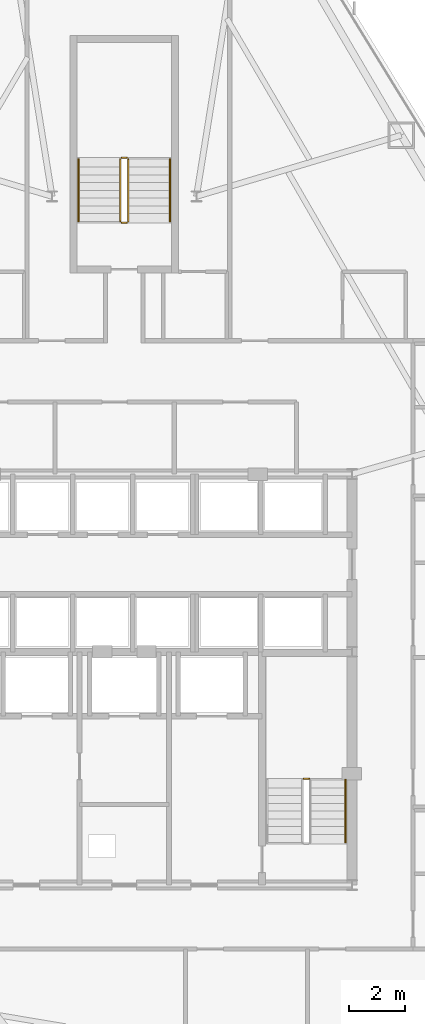
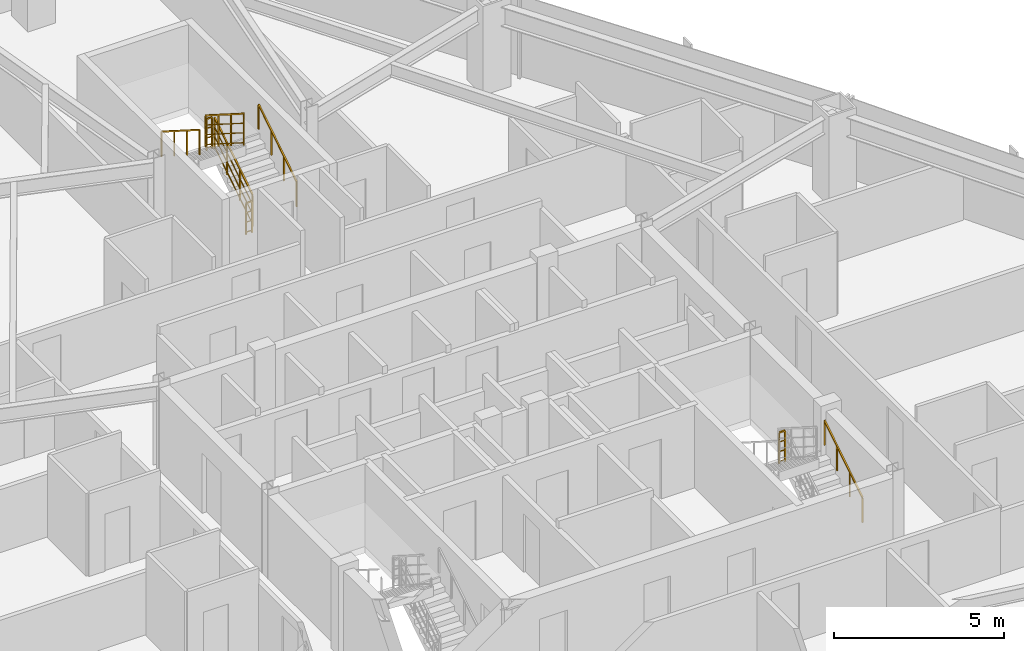
# One storey, part 14 of 14: 8 railings.
"""IFC4 building model written with IfcOpenShell, lengths in metres."""

from ifc_helpers import new_model, si_unit, direction, frame, origin, origin_2d, place, context, subcontext, project, spatial, rectangle, extrude, material, type_object, element, save


model = new_model("IFC4")

# Units and contexts
model_context = context("Model", 3, precision=1e-05, world=origin(), true_north=direction((0.0, 1.0)))
body_context = subcontext(model_context, "Body", "Model", "MODEL_VIEW")
ifc_project = project(units=[si_unit("LENGTHUNIT", "METRE"), si_unit("AREAUNIT", "SQUARE_METRE"), si_unit("VOLUMEUNIT", "CUBIC_METRE"), si_unit("PLANEANGLEUNIT", "RADIAN"), si_unit("MASSUNIT", "GRAM", prefix="KILO")], contexts=[model_context])

# Site, building, storey
site_placement = place(None, origin())
site = spatial("IfcSite", under=ifc_project, at=site_placement, CompositionType="ELEMENT")
building_placement = place(site_placement, origin())
building = spatial("IfcBuilding", under=site, at=building_placement, Name="Varakhsha Concourse Tower", CompositionType="ELEMENT")
storey_placement = place(building_placement, frame((0.0, 0.0, 105.39990234375)))
storey = spatial("IfcBuildingStorey", under=building, at=storey_placement, Name="L30", CompositionType="ELEMENT", Elevation=105.39990234375)

# Railings
ifc_material = material(Name="Brushed Austenitic Stainless Steel AISI 316", Category="steel")
railing_type_1 = type_object("IfcRailingType", Name="RL-STAIR-GUARD-1100", PredefinedType="GUARDRAIL", material=ifc_material)
railing_1_placement = place(storey_placement, frame((46.659912109375, 20.22998046875, 1.60009765625)))
element("IfcRailing", 1, at=railing_1_placement, inside=storey, type_object=railing_type_1, Name="L30 ST2 stair guard 2", PredefinedType="GUARDRAIL", context=body_context, shape_type="SweptSolid", body=[
    extrude(rectangle(XDim=0.048095703125, YDim=0.048095703125, at=origin_2d()), frame((0.0, 0.0, 1.1259765625), z_axis=(-1.0, 0.0, 0.0), x_axis=(0.0, -1.0, 0.0)), (0.0, 0.0, 1.0), 0.199951171875),
    extrude(rectangle(XDim=0.028076171875, YDim=0.028076171875, at=origin_2d()), frame((0.0, 0.0, 0.080078125), z_axis=(-1.0, 0.0, 0.0), x_axis=(0.0, -1.0, 0.0)), (0.0, 0.0, 1.0), 0.199951171875),
    extrude(rectangle(XDim=0.028076171875, YDim=0.028076171875, at=origin_2d()), frame((0.0, 0.0, 0.43701171875), z_axis=(-1.0, 0.0, 0.0), x_axis=(0.0, -1.0, 0.0)), (0.0, 0.0, 1.0), 0.199951171875),
    extrude(rectangle(XDim=0.028076171875, YDim=0.028076171875, at=origin_2d()), frame((0.0, 0.0, 0.781982421875), z_axis=(-1.0, 0.0, 0.0), x_axis=(0.0, -1.0, 0.0)), (0.0, 0.0, 1.0), 0.199951171875),
    extrude(rectangle(XDim=0.0419921875, YDim=0.0419921875, at=origin_2d()), origin(), (0.0, 0.0, 1.0), 1.101806640625),
    extrude(rectangle(XDim=0.0419921875, YDim=0.0419921875, at=origin_2d()), frame((-0.199951171875, 0.0, 0.0)), (0.0, 0.0, 1.0), 1.101806640625),
])
railing_2_placement = place(storey_placement, frame((40.14990234375, 40.300048828125, 0.177978515625)))
element("IfcRailing", 2, at=railing_2_placement, inside=storey, type_object=railing_type_1, Name="L30 ST5 stair guard 1", PredefinedType="GUARDRAIL", context=body_context, shape_type="SweptSolid", body=[
    extrude(rectangle(XDim=0.048095703125, YDim=0.048095703125, at=origin_2d()), frame((0.0, 0.0, 1.1259765625), z_axis=(0.0, 0.8442293374, 0.53598211339), x_axis=(-1.0, 0.0, 0.0)), (0.0, 0.0, 1.0), 2.6533203125),
    extrude(rectangle(XDim=0.028076171875, YDim=0.028076171875, at=origin_2d()), frame((0.0, 0.0, 0.080078125), z_axis=(0.0, 0.8442293374, 0.53598211339), x_axis=(-1.0, 0.0, 0.0)), (0.0, 0.0, 1.0), 2.6533203125),
    extrude(rectangle(XDim=0.028076171875, YDim=0.028076171875, at=origin_2d()), frame((0.0, 0.0, 0.43701171875), z_axis=(0.0, 0.8442293374, 0.53598211339), x_axis=(-1.0, 0.0, 0.0)), (0.0, 0.0, 1.0), 2.6533203125),
    extrude(rectangle(XDim=0.028076171875, YDim=0.028076171875, at=origin_2d()), frame((0.0, 0.0, 0.781982421875), z_axis=(0.0, 0.8442293374, 0.53598211339), x_axis=(-1.0, 0.0, 0.0)), (0.0, 0.0, 1.0), 2.6533203125),
    extrude(rectangle(XDim=0.0419921875, YDim=0.0419921875, at=origin_2d()), origin(), (0.0, 0.0, 1.0), 1.101806640625),
    extrude(rectangle(XDim=0.0419921875, YDim=0.0419921875, at=origin_2d()), frame((0.0, 0.74658203125, 0.47412109375)), (0.0, 0.0, 1.0), 1.101806640625),
    extrude(rectangle(XDim=0.0419921875, YDim=0.0419921875, at=origin_2d()), frame((0.0, 1.493408203125, 0.947998046875)), (0.0, 0.0, 1.0), 1.101806640625),
    extrude(rectangle(XDim=0.0419921875, YDim=0.0419921875, at=origin_2d()), frame((0.0, 2.239990234375, 1.422119140625)), (0.0, 0.0, 1.0), 1.101806640625),
])
railing_3_placement = place(storey_placement, frame((40.10009765625, 42.590087890625, 1.60009765625)))
element("IfcRailing", 3, at=railing_3_placement, inside=storey, type_object=railing_type_1, Name="L30 ST5 stair guard 2", PredefinedType="GUARDRAIL", context=body_context, shape_type="SweptSolid", body=[
    extrude(rectangle(XDim=0.048095703125, YDim=0.048095703125, at=origin_2d()), frame((0.0, 0.0, 1.1259765625), z_axis=(-1.0, 0.0, 0.0), x_axis=(0.0, -1.0, 0.0)), (0.0, 0.0, 1.0), 0.2001953125),
    extrude(rectangle(XDim=0.028076171875, YDim=0.028076171875, at=origin_2d()), frame((0.0, 0.0, 0.080078125), z_axis=(-1.0, 0.0, 0.0), x_axis=(0.0, -1.0, 0.0)), (0.0, 0.0, 1.0), 0.2001953125),
    extrude(rectangle(XDim=0.028076171875, YDim=0.028076171875, at=origin_2d()), frame((0.0, 0.0, 0.43701171875), z_axis=(-1.0, 0.0, 0.0), x_axis=(0.0, -1.0, 0.0)), (0.0, 0.0, 1.0), 0.2001953125),
    extrude(rectangle(XDim=0.028076171875, YDim=0.028076171875, at=origin_2d()), frame((0.0, 0.0, 0.781982421875), z_axis=(-1.0, 0.0, 0.0), x_axis=(0.0, -1.0, 0.0)), (0.0, 0.0, 1.0), 0.2001953125),
    extrude(rectangle(XDim=0.0419921875, YDim=0.0419921875, at=origin_2d()), origin(), (0.0, 0.0, 1.0), 1.101806640625),
    extrude(rectangle(XDim=0.0419921875, YDim=0.0419921875, at=origin_2d()), frame((-0.2001953125, 0.0, 0.0)), (0.0, 0.0, 1.0), 1.101806640625),
])
railing_4_placement = place(storey_placement, frame((39.85009765625, 42.5400390625, 1.77783203125)))
element("IfcRailing", 4, at=railing_4_placement, inside=storey, type_object=railing_type_1, Name="L30 ST5 stair guard 3", PredefinedType="GUARDRAIL", context=body_context, shape_type="SweptSolid", body=[
    extrude(rectangle(XDim=0.048095703125, YDim=0.048095703125, at=origin_2d()), frame((0.0, 0.0, 1.1259765625), z_axis=(0.0, -0.84418770128, 0.536047689118), x_axis=(1.0, 0.0, 0.0)), (0.0, 0.0, 1.0), 2.6533203125),
    extrude(rectangle(XDim=0.028076171875, YDim=0.028076171875, at=origin_2d()), frame((0.0, 0.0, 0.080078125), z_axis=(0.0, -0.84418770128, 0.536047689118), x_axis=(1.0, 0.0, 0.0)), (0.0, 0.0, 1.0), 2.6533203125),
    extrude(rectangle(XDim=0.028076171875, YDim=0.028076171875, at=origin_2d()), frame((0.0, 0.0, 0.43701171875), z_axis=(0.0, -0.84418770128, 0.536047689118), x_axis=(1.0, 0.0, 0.0)), (0.0, 0.0, 1.0), 2.6533203125),
    extrude(rectangle(XDim=0.028076171875, YDim=0.028076171875, at=origin_2d()), frame((0.0, 0.0, 0.781982421875), z_axis=(0.0, -0.84418770128, 0.536047689118), x_axis=(1.0, 0.0, 0.0)), (0.0, 0.0, 1.0), 2.6533203125),
    extrude(rectangle(XDim=0.0419921875, YDim=0.0419921875, at=origin_2d()), origin(), (0.0, 0.0, 1.0), 1.101806640625),
    extrude(rectangle(XDim=0.0419921875, YDim=0.0419921875, at=origin_2d()), frame((0.0, -0.74658203125, 0.47412109375)), (0.0, 0.0, 1.0), 1.101806640625),
    extrude(rectangle(XDim=0.0419921875, YDim=0.0419921875, at=origin_2d()), frame((0.0, -1.493408203125, 0.9482421875)), (0.0, 0.0, 1.0), 1.101806640625),
    extrude(rectangle(XDim=0.0419921875, YDim=0.0419921875, at=origin_2d()), frame((0.0, -2.239990234375, 1.42236328125)), (0.0, 0.0, 1.0), 1.101806640625),
])
railing_5_placement = place(storey_placement, frame((40.10009765625, 40.25, 0.0)))
element("IfcRailing", 5, at=railing_5_placement, inside=storey, type_object=railing_type_1, Name="L30 ST5 stair guard 4", PredefinedType="GUARDRAIL", context=body_context, shape_type="SweptSolid", body=[
    extrude(rectangle(XDim=0.048095703125, YDim=0.048095703125, at=origin_2d()), frame((0.0, 0.0, 1.1259765625), z_axis=(-1.0, 0.0, 0.0), x_axis=(0.0, -1.0, 0.0)), (0.0, 0.0, 1.0), 0.2001953125),
    extrude(rectangle(XDim=0.028076171875, YDim=0.028076171875, at=origin_2d()), frame((0.0, 0.0, 0.080078125), z_axis=(-1.0, 0.0, 0.0), x_axis=(0.0, -1.0, 0.0)), (0.0, 0.0, 1.0), 0.2001953125),
    extrude(rectangle(XDim=0.028076171875, YDim=0.028076171875, at=origin_2d()), frame((0.0, 0.0, 0.43701171875), z_axis=(-1.0, 0.0, 0.0), x_axis=(0.0, -1.0, 0.0)), (0.0, 0.0, 1.0), 0.2001953125),
    extrude(rectangle(XDim=0.028076171875, YDim=0.028076171875, at=origin_2d()), frame((0.0, 0.0, 0.781982421875), z_axis=(-1.0, 0.0, 0.0), x_axis=(0.0, -1.0, 0.0)), (0.0, 0.0, 1.0), 0.2001953125),
    extrude(rectangle(XDim=0.0419921875, YDim=0.0419921875, at=origin_2d()), origin(), (0.0, 0.0, 1.0), 1.101806640625),
    extrude(rectangle(XDim=0.0419921875, YDim=0.0419921875, at=origin_2d()), frame((-0.2001953125, 0.0, 0.0)), (0.0, 0.0, 1.0), 1.101806640625),
])
railing_type_2 = type_object("IfcRailingType", Name="RL-STAIR-RAIL-915", PredefinedType="HANDRAIL", material=ifc_material)
for number, where, name in (
    (6, (47.969970703125, 17.93994140625, 0.355712890625), "L30 ST2 stair handrail 1"),
    (7, (41.64990234375, 40.300048828125, 0.355712890625), "L30 ST5 stair handrail 1"),
):
    element("IfcRailing", number, at=place(storey_placement, frame(where)), inside=storey, type_object=railing_type_2, Name=name, PredefinedType="HANDRAIL", context=body_context, shape_type="SweptSolid", body=[
        extrude(rectangle(XDim=0.048095703125, YDim=0.048095703125, at=origin_2d()), frame((0.0, 0.0, 0.89111328125), z_axis=(0.0, 0.8442293374, 0.53598211339), x_axis=(-1.0, 0.0, 0.0)), (0.0, 0.0, 1.0), 2.6533203125),
        extrude(rectangle(XDim=0.0419921875, YDim=0.0419921875, at=origin_2d()), origin(), (0.0, 0.0, 1.0), 0.866943359375),
        extrude(rectangle(XDim=0.0419921875, YDim=0.0419921875, at=origin_2d()), frame((0.0, 0.74658203125, 0.47412109375)), (0.0, 0.0, 1.0), 0.866943359375),
        extrude(rectangle(XDim=0.0419921875, YDim=0.0419921875, at=origin_2d()), frame((0.0, 1.493408203125, 0.947998046875)), (0.0, 0.0, 1.0), 0.866943359375),
        extrude(rectangle(XDim=0.0419921875, YDim=0.0419921875, at=origin_2d()), frame((0.0, 2.239990234375, 1.422119140625)), (0.0, 0.0, 1.0), 0.866943359375),
    ])
railing_6_placement = place(storey_placement, frame((38.35009765625, 42.5400390625, 1.95556640625)))
element("IfcRailing", 8, at=railing_6_placement, inside=storey, type_object=railing_type_2, Name="L30 ST5 stair handrail 2", PredefinedType="HANDRAIL", context=body_context, shape_type="SweptSolid", body=[
    extrude(rectangle(XDim=0.048095703125, YDim=0.048095703125, at=origin_2d()), frame((0.0, 0.0, 0.89111328125), z_axis=(0.0, -0.84418770128, 0.536047689118), x_axis=(1.0, 0.0, 0.0)), (0.0, 0.0, 1.0), 2.6533203125),
    extrude(rectangle(XDim=0.0419921875, YDim=0.0419921875, at=origin_2d()), origin(), (0.0, 0.0, 1.0), 0.866943359375),
    extrude(rectangle(XDim=0.0419921875, YDim=0.0419921875, at=origin_2d()), frame((0.0, -0.74658203125, 0.47412109375)), (0.0, 0.0, 1.0), 0.866943359375),
    extrude(rectangle(XDim=0.0419921875, YDim=0.0419921875, at=origin_2d()), frame((0.0, -1.493408203125, 0.9482421875)), (0.0, 0.0, 1.0), 0.866943359375),
    extrude(rectangle(XDim=0.0419921875, YDim=0.0419921875, at=origin_2d()), frame((0.0, -2.239990234375, 1.42236328125)), (0.0, 0.0, 1.0), 0.866943359375),
])

save(model, "model.ifc")
